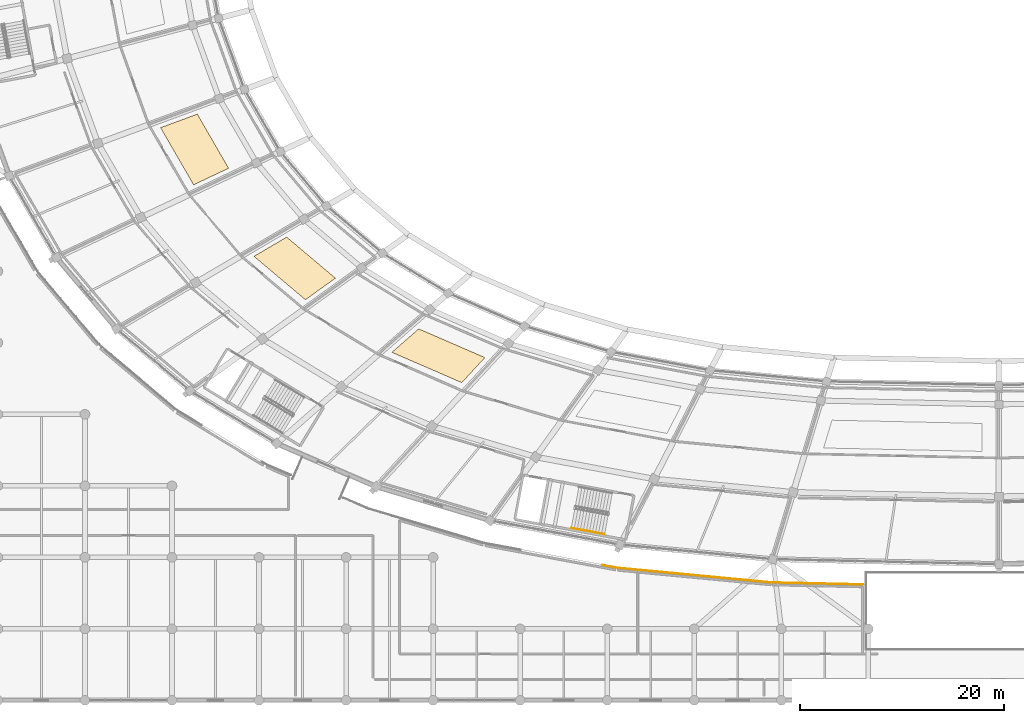
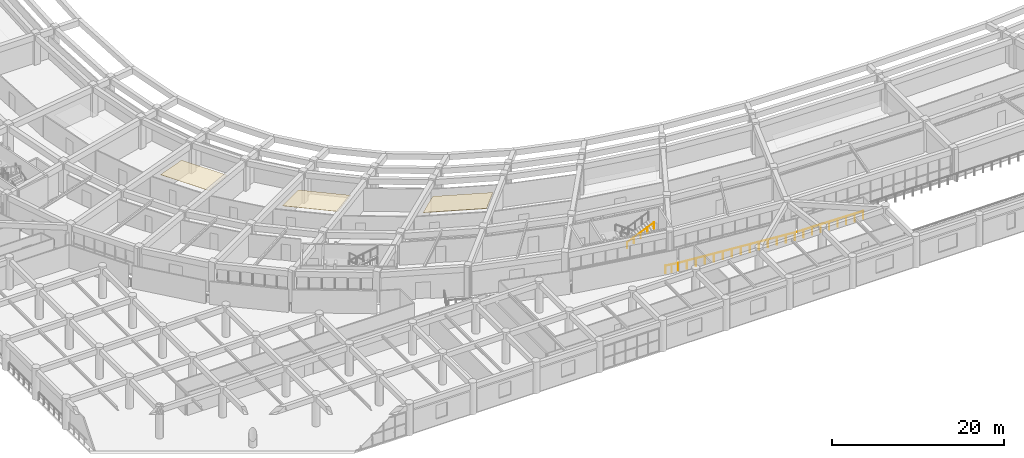
# One storey, part 121 of 145: 3 coverings, 2 railings.
"""IFC4 building model written with IfcOpenShell, lengths in metres."""

from ifc_helpers import new_model, si_unit, direction, frame, origin, origin_2d, place, context, subcontext, project, spatial, polyline, circle, outline, extrude, material, layer, layer_set, type_object, element, save


model = new_model("IFC4")

# Units and contexts
model_context = context("Model", 3, precision=1e-05, world=origin(), true_north=direction((0.0, 1.0)))
body_context = subcontext(model_context, "Body", "Model", "MODEL_VIEW")
ifc_project = project(units=[si_unit("LENGTHUNIT", "METRE"), si_unit("AREAUNIT", "SQUARE_METRE"), si_unit("VOLUMEUNIT", "CUBIC_METRE"), si_unit("PLANEANGLEUNIT", "RADIAN"), si_unit("MASSUNIT", "GRAM", prefix="KILO")], contexts=[model_context])

# Site, building, storey
site_placement = place(None, origin())
site = spatial("IfcSite", under=ifc_project, at=site_placement, CompositionType="ELEMENT")
building_placement = place(site_placement, origin())
building = spatial("IfcBuilding", under=site, at=building_placement, Name="Mphavela Belvedere Stadium", CompositionType="ELEMENT")
storey_placement = place(building_placement, frame((0.0, 0.0, 10.199951171875)))
storey = spatial("IfcBuildingStorey", under=building, at=storey_placement, Name="L02", CompositionType="ELEMENT", Elevation=10.199951171875)

# Coverings
ifc_material_1 = material(Name="Perforated acoustic mineral ceiling tile")
ifc_layer = layer(ifc_material_1, 0.0400390625)
ifc_layer_set = layer_set([ifc_layer], Name="Perforated acoustic mineral ceiling tile")
covering_type = type_object("IfcCoveringType", Name="COV-CEILING-ACOUSTIC", PredefinedType="CEILING", material=ifc_layer_set)
covering_1_placement = place(storey_placement, frame((0.0, 0.0, 3.199951171875)))
element("IfcCovering", 1, at=covering_1_placement, inside=storey, type_object=covering_type, Name="Concourse acoustic ceiling L02-28", PredefinedType="CEILING", context=body_context, shape_type="SweptSolid", body=[
    extrude(outline(polyline([(36.55224609375, 57.37451171875), (39.614501953125, 52.07861328125), (36.189208984375, 50.457275390625), (32.955810546875, 56.049560546875), (36.55224609375, 57.37451171875)])), origin(), (0.0, 0.0, 1.0), 0.0400390625),
])
covering_2_placement = place(storey_placement, frame((0.0, 0.0, 3.199951171875)))
element("IfcCovering", 2, at=covering_2_placement, inside=storey, type_object=covering_type, Name="Concourse acoustic ceiling L02-30", PredefinedType="CEILING", context=body_context, shape_type="SweptSolid", body=[
    extrude(outline(polyline([(45.30078125, 45.339111328125), (50.068359375, 41.316162109375), (47.129150390625, 39.210205078125), (42.094970703125, 43.4580078125), (45.30078125, 45.339111328125)])), origin(), (0.0, 0.0, 1.0), 0.0400390625),
])
covering_3_placement = place(storey_placement, frame((0.0, 0.0, 3.199951171875)))
element("IfcCovering", 3, at=covering_3_placement, inside=storey, type_object=covering_type, Name="Concourse acoustic ceiling L02-32", PredefinedType="CEILING", context=body_context, shape_type="SweptSolid", body=[
    extrude(outline(polyline([(58.21875, 36.35888671875), (64.69580078125, 33.55078125), (62.43310546875, 31.0966796875), (55.593505859375, 34.061767578125), (58.21875, 36.35888671875)])), origin(), (0.0, 0.0, 1.0), 0.0400390625),
])

# Railings
ifc_material_2 = material(Name="Bronze and laminated glass stadium balustrade", Category="glass")
railing_type_1 = type_object("IfcRailingType", Name="RAL-BALUSTRADE-1120", PredefinedType="BALUSTRADE", material=ifc_material_2)
railing_1_placement = place(storey_placement, frame((76.212890625, 13.232666015625, 0.0)))
element("IfcRailing", 4, at=railing_1_placement, inside=storey, type_object=railing_type_1, Name="Peristyle wing gallery edge balustrade L02-04", PredefinedType="BALUSTRADE", context=body_context, shape_type="SweptSolid", body=[
    extrude(circle(Radius=0.02392578125, at=origin_2d()), frame((0.0, 0.0, 1.09619140625), z_axis=(0.984163739647, -0.177261765658, 0.0), x_axis=(0.177261765658, 0.984163739647, 0.0)), (0.0, 0.0, 1.0), 1.52197265625),
    extrude(circle(Radius=0.02392578125, at=origin_2d()), frame((1.497802734375, -0.269775390625, 1.09619140625), z_axis=(0.995483637339, -0.094933280733, 0.0), x_axis=(0.094933280733, 0.995483637339, 0.0)), (0.0, 0.0, 1.0), 15.029052734375),
    extrude(circle(Radius=0.02392578125, at=origin_2d()), frame((16.458984375, -1.696533203125, 1.09619140625), z_axis=(0.999754122282, -0.022174196285, 0.0), x_axis=(0.022174196285, 0.999754122282, 0.0)), (0.0, 0.0, 1.0), 9.05029296875),
    extrude(circle(Radius=0.02099609375, at=origin_2d()), origin(), (0.0, 0.0, 1.0), 1.072021484375),
    extrude(circle(Radius=0.02099609375, at=origin_2d()), frame((0.7490234375, -0.134765625, 0.0)), (0.0, 0.0, 1.0), 1.072021484375),
    extrude(circle(Radius=0.02099609375, at=origin_2d()), frame((1.497802734375, -0.269775390625, 0.0)), (0.0, 0.0, 1.0), 1.072021484375),
    extrude(circle(Radius=0.02099609375, at=origin_2d()), frame((2.648681640625, -0.379638671875, 0.0)), (0.0, 0.0, 1.0), 1.072021484375),
    extrude(circle(Radius=0.02099609375, at=origin_2d()), frame((3.799560546875, -0.4892578125, 0.0)), (0.0, 0.0, 1.0), 1.072021484375),
    extrude(circle(Radius=0.02099609375, at=origin_2d()), frame((4.950439453125, -0.59912109375, 0.0)), (0.0, 0.0, 1.0), 1.072021484375),
    extrude(circle(Radius=0.02099609375, at=origin_2d()), frame((6.101318359375, -0.708740234375, 0.0)), (0.0, 0.0, 1.0), 1.072021484375),
    extrude(circle(Radius=0.02099609375, at=origin_2d()), frame((7.252197265625, -0.818603515625, 0.0)), (0.0, 0.0, 1.0), 1.072021484375),
    extrude(circle(Radius=0.02099609375, at=origin_2d()), frame((8.403076171875, -0.92822265625, 0.0)), (0.0, 0.0, 1.0), 1.072021484375),
    extrude(circle(Radius=0.02099609375, at=origin_2d()), frame((9.5537109375, -1.0380859375, 0.0)), (0.0, 0.0, 1.0), 1.072021484375),
    extrude(circle(Radius=0.02099609375, at=origin_2d()), frame((10.70458984375, -1.147705078125, 0.0)), (0.0, 0.0, 1.0), 1.072021484375),
    extrude(circle(Radius=0.02099609375, at=origin_2d()), frame((11.85546875, -1.257568359375, 0.0)), (0.0, 0.0, 1.0), 1.072021484375),
    extrude(circle(Radius=0.02099609375, at=origin_2d()), frame((13.00634765625, -1.3671875, 0.0)), (0.0, 0.0, 1.0), 1.072021484375),
    extrude(circle(Radius=0.02099609375, at=origin_2d()), frame((14.1572265625, -1.47705078125, 0.0)), (0.0, 0.0, 1.0), 1.072021484375),
    extrude(circle(Radius=0.02099609375, at=origin_2d()), frame((15.30810546875, -1.586669921875, 0.0)), (0.0, 0.0, 1.0), 1.072021484375),
    extrude(circle(Radius=0.02099609375, at=origin_2d()), frame((16.458984375, -1.696533203125, 0.0)), (0.0, 0.0, 1.0), 1.072021484375),
    extrude(circle(Radius=0.02099609375, at=origin_2d()), frame((17.590087890625, -1.7216796875, 0.0)), (0.0, 0.0, 1.0), 1.072021484375),
    extrude(circle(Radius=0.02099609375, at=origin_2d()), frame((18.720947265625, -1.74658203125, 0.0)), (0.0, 0.0, 1.0), 1.072021484375),
    extrude(circle(Radius=0.02099609375, at=origin_2d()), frame((19.85205078125, -1.771728515625, 0.0)), (0.0, 0.0, 1.0), 1.072021484375),
    extrude(circle(Radius=0.02099609375, at=origin_2d()), frame((20.98291015625, -1.796875, 0.0)), (0.0, 0.0, 1.0), 1.072021484375),
    extrude(circle(Radius=0.02099609375, at=origin_2d()), frame((22.114013671875, -1.822021484375, 0.0)), (0.0, 0.0, 1.0), 1.072021484375),
    extrude(circle(Radius=0.02099609375, at=origin_2d()), frame((23.2451171875, -1.84716796875, 0.0)), (0.0, 0.0, 1.0), 1.072021484375),
    extrude(circle(Radius=0.02099609375, at=origin_2d()), frame((24.3759765625, -1.8720703125, 0.0)), (0.0, 0.0, 1.0), 1.072021484375),
    extrude(circle(Radius=0.02099609375, at=origin_2d()), frame((25.507080078125, -1.897216796875, 0.0)), (0.0, 0.0, 1.0), 1.072021484375),
])
ifc_material_3 = material(Name="Brushed stainless steel tubular handrail", Category="steel")
railing_type_2 = type_object("IfcRailingType", Name="RAL-HANDRAIL-900", PredefinedType="HANDRAIL", material=ifc_material_3)
railing_2_placement = place(storey_placement, frame((73.146728515625, 16.86279296875, 2.4375)))
element("IfcRailing", 5, at=railing_2_placement, inside=storey, type_object=railing_type_2, Name="L02 ST-C11 stair handrail 2", PredefinedType="HANDRAIL", context=body_context, shape_type="SweptSolid", body=[
    extrude(circle(Radius=0.02392578125, at=origin_2d()), frame((0.0, 0.0, 0.8759765625), z_axis=(0.835218061398, -0.155530252743, 0.527466710226), x_axis=(0.183068151301, 0.983100224789, 0.0)), (0.0, 0.0, 1.0), 3.91015625),
    extrude(circle(Radius=0.02099609375, at=origin_2d()), origin(), (0.0, 0.0, 1.0), 0.851806640625),
    extrude(circle(Radius=0.02099609375, at=origin_2d()), frame((0.81640625, -0.152099609375, 0.515625)), (0.0, 0.0, 1.0), 0.851806640625),
    extrude(circle(Radius=0.02099609375, at=origin_2d()), frame((1.6328125, -0.30419921875, 1.03125)), (0.0, 0.0, 1.0), 0.851806640625),
    extrude(circle(Radius=0.02099609375, at=origin_2d()), frame((2.449462890625, -0.4560546875, 1.546875)), (0.0, 0.0, 1.0), 0.851806640625),
    extrude(circle(Radius=0.02099609375, at=origin_2d()), frame((3.265869140625, -0.608154296875, 2.0625)), (0.0, 0.0, 1.0), 0.851806640625),
])

save(model, "model.ifc")
